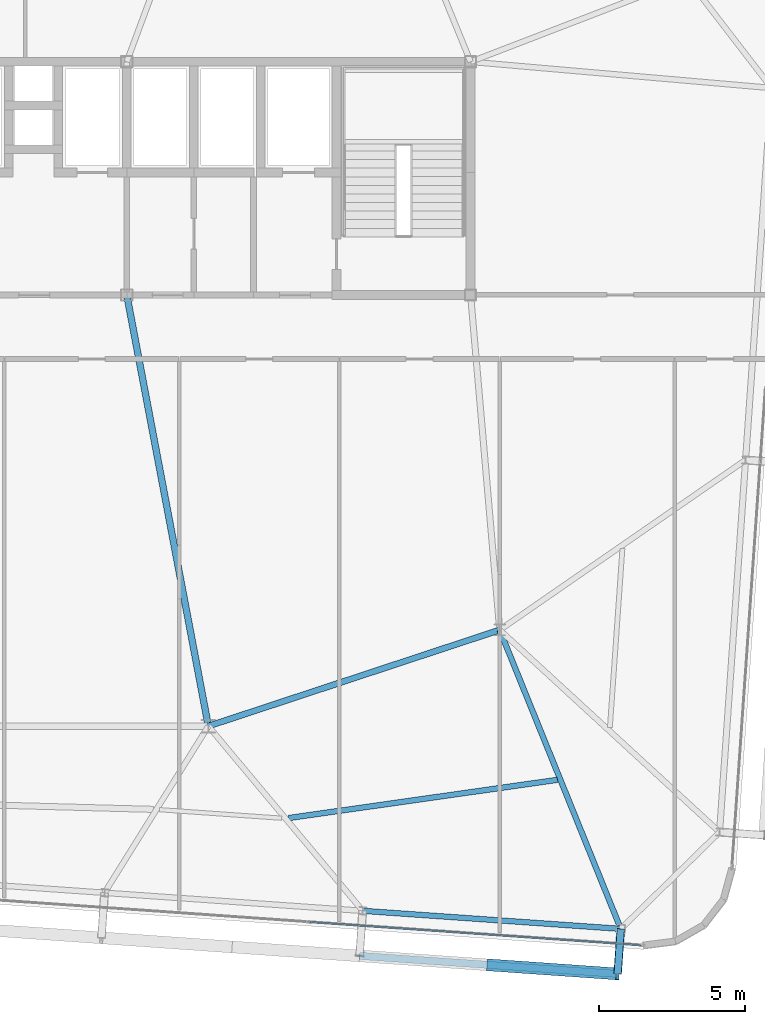
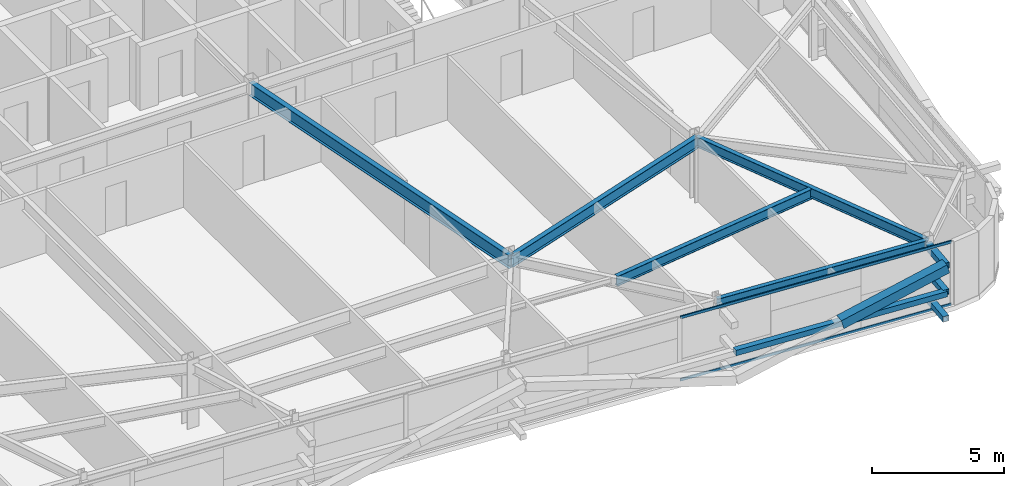
# One storey, part 14 of 39: 7 members, 5 beams, 1 element without a shape of its own.
"""IFC4 building model written with IfcOpenShell, lengths in metres."""

from ifc_helpers import new_model, si_unit, direction, frame, origin, origin_2d, place, context, subcontext, project, spatial, hollow_rectangle, i_section, extrude, source, transform, mapped, material, layer, layer_set, material_profile, profile_set, type_object, element, aggregate, save


model = new_model("IFC4")

# Units and contexts
model_context = context("Model", 3, precision=1e-05, world=origin(), true_north=direction((0.0, 1.0)))
body_context = subcontext(model_context, "Body", "Model", "MODEL_VIEW")
ifc_project = project(units=[si_unit("LENGTHUNIT", "METRE"), si_unit("AREAUNIT", "SQUARE_METRE"), si_unit("VOLUMEUNIT", "CUBIC_METRE"), si_unit("PLANEANGLEUNIT", "RADIAN"), si_unit("MASSUNIT", "GRAM", prefix="KILO")], contexts=[model_context])

# Site, building, storey
site_placement = place(None, origin())
site = spatial("IfcSite", under=ifc_project, at=site_placement, CompositionType="ELEMENT")
building_placement = place(site_placement, origin())
building = spatial("IfcBuilding", under=site, at=building_placement, Name="Taldren Reach Tower", CompositionType="ELEMENT")
storey_placement = place(building_placement, frame((0.0, 0.0, 120.39990234375)))
storey = spatial("IfcBuildingStorey", under=building, at=storey_placement, Name="L36", CompositionType="ELEMENT", Elevation=120.39990234375)

# Beams
ifc_material_1 = material(Name="Steel Gr 350 (350PLUS)", Category="steel")
ifc_material_profile_1 = material_profile(ifc_material_1, i_section(OverallWidth=0.208984375, OverallDepth=0.532958984375, WebThickness=0.01025390625, FlangeThickness=0.015625, at=origin_2d()), Name="530UB92.4")
ifc_profile_set_1 = profile_set([ifc_material_profile_1], Name="Steel Gr 350 (350PLUS)")
beam_type_1 = type_object("IfcBeamType", Name="BM-UB530A", PredefinedType="BEAM", material=ifc_profile_set_1)
shared_shape_1 = source(origin(), body_context, "Body", "SweptSolid", [
    extrude(i_section(OverallWidth=0.208984375, OverallDepth=0.532958984375, WebThickness=0.01025390625, FlangeThickness=0.015625, at=origin_2d()), origin(), (0.0, 0.0, 1.0), 10.530517578125),
])
beam_1_placement = place(storey_placement, frame((42.0, 9.199951171875, 2.66357421875), z_axis=(0.949627269203, 0.313381635689, 0.0), x_axis=(-0.313381635689, 0.949627269203, 0.0)))
element("IfcBeam", 1, at=beam_1_placement, inside=storey, type_object=beam_type_1, Name="Core-spine girder L36-SP12", PredefinedType="BEAM", context=body_context, shape_type="MappedRepresentation", body=[
    mapped(shared_shape_1, transform((0.0, 0.0, 0.0), scale=1.0)),
])
ifc_material_profile_2 = material_profile(ifc_material_1, i_section(OverallWidth=0.22802734375, OverallDepth=0.60205078125, WebThickness=0.010498046875, FlangeThickness=0.014892578125, at=origin_2d()), Name="610UB101")
ifc_profile_set_2 = profile_set([ifc_material_profile_2], Name="Steel Gr 350 (350PLUS)")
beam_type_2 = type_object("IfcBeamType", Name="BM-UB610B", PredefinedType="BEAM", material=ifc_profile_set_2)
shared_shape_2 = source(origin(), body_context, "Body", "SweptSolid", [
    extrude(i_section(OverallWidth=0.22802734375, OverallDepth=0.60205078125, WebThickness=0.010498046875, FlangeThickness=0.014892578125, at=origin_2d()), origin(), (0.0, 0.0, 1.0), 15.0625),
])
beam_2_placement = place(storey_placement, frame((39.199951171875, 24.0, 2.629150390625), z_axis=(0.185894205668, -0.982569765614, 0.0), x_axis=(0.982569765614, 0.185894205668, 0.0)))
element("IfcBeam", 2, at=beam_2_placement, inside=storey, type_object=beam_type_2, Name="Core-spine girder L36-SP15", PredefinedType="BEAM", context=body_context, shape_type="MappedRepresentation", body=[
    mapped(shared_shape_2, transform((0.0, 0.0, 0.0), scale=1.0)),
])

# Members
ifc_material_2 = material(Name="Steel Gr 450 (C450L0)", Category="steel")
ifc_material_profile_3 = material_profile(ifc_material_2, hollow_rectangle(XDim=0.27490234375, YDim=0.27490234375, WallThickness=0.00927734375, at=origin_2d()), Name="275x275x9.3SHS")
ifc_profile_set_3 = profile_set([ifc_material_profile_3], Name="Steel Gr 450 (C450L0)")
member_type_1 = type_object("IfcMemberType", Name="MB-TIE273", PredefinedType="STRUT", material=ifc_profile_set_3)
shared_shape_3 = source(origin(), body_context, "Body", "SweptSolid", [
    extrude(hollow_rectangle(XDim=0.27490234375, YDim=0.27490234375, WallThickness=0.00927734375, at=origin_2d()), origin(), (0.0, 0.0, 1.0), 1.5498046875),
])
member_1_placement = place(storey_placement, frame((56.155517578125, 2.2412109375, 2.650146484375), z_axis=(-0.069780535098, -0.997562367434, 0.0), x_axis=(0.997562367434, -0.069780535098, 0.0)))
element("IfcMember", 3, at=member_1_placement, inside=storey, type_object=member_type_1, Name="Exoskeleton diaphragm tie strut B3-S6 L36", PredefinedType="STRUT", context=body_context, shape_type="MappedRepresentation", body=[
    mapped(shared_shape_3, transform((0.0, 0.0, 0.0), scale=1.0)),
])
ifc_material_3 = material(Name="Steel Gr 350 (C350L0)", Category="steel")
ifc_material_profile_4 = material_profile(ifc_material_3, hollow_rectangle(XDim=0.25, YDim=0.25, WallThickness=0.010009765625, at=origin_2d()), Name="250x250x10.0SHS")
ifc_profile_set_4 = profile_set([ifc_material_profile_4], Name="Steel Gr 350 (C350L0)")
member_type_2 = type_object("IfcMemberType", Name="MB-POST250", PredefinedType="POST", material=ifc_profile_set_4)
shared_shape_4 = source(origin(), body_context, "Body", "SweptSolid", [
    extrude(hollow_rectangle(XDim=0.25, YDim=0.25, WallThickness=0.010009765625, at=origin_2d()), origin(), (0.0, 0.0, 1.0), 1.5498046875),
])
for number, where, z_axis, x_axis, name in (
    (4, (56.155517578125, 2.2412109375, 0.22021484375), (-0.069780535098, -0.997562367434, 0.0), (0.997562367434, -0.069780535098, 0.0), "Exoskeleton base diaphragm tie strut B3-S6 L36"),
    (5, (56.155517578125, 2.2412109375, 1.43505859375), (-0.069780535098, -0.997562367434, 0.0), (0.997562367434, -0.069780535098, 0.0), "Exoskeleton mid-tier diaphragm tie B3-S6 L36"),
):
    element("IfcMember", number, at=place(storey_placement, frame(where, z_axis=z_axis, x_axis=x_axis)), inside=storey, type_object=member_type_2, Name=name, PredefinedType="POST", context=body_context, shape_type="MappedRepresentation", body=[
        mapped(shared_shape_4, transform((0.0, 0.0, 0.0), scale=1.0)),
    ])

# Beams
ifc_material_profile_5 = material_profile(ifc_material_1, i_section(OverallWidth=0.18994140625, OverallDepth=0.4541015625, WebThickness=0.008544921875, FlangeThickness=0.0126953125, at=origin_2d()), Name="460UB67.1")
ifc_profile_set_5 = profile_set([ifc_material_profile_5], Name="Steel Gr 350 (350PLUS)")
beam_type_3 = type_object("IfcBeamType", Name="SP-UB460B", PredefinedType="SPANDREL", material=ifc_profile_set_5)
shared_shape_5 = source(origin(), body_context, "Body", "SweptSolid", [
    extrude(i_section(OverallWidth=0.18994140625, OverallDepth=0.4541015625, WebThickness=0.008544921875, FlangeThickness=0.0126953125, at=origin_2d()), origin(), (0.0, 0.0, 1.0), 8.880126953125),
])
beam_3_placement = place(storey_placement, frame((47.297119140625, 2.860595703125, 2.703125), z_axis=(0.997564479639, -0.069750333063, 0.0), x_axis=(0.069750333063, 0.997564479639, 0.0)))
element("IfcBeam", 6, at=beam_3_placement, inside=storey, type_object=beam_type_3, Name="Perimeter spandrel B3 S5-S6 L36", PredefinedType="SPANDREL", context=body_context, shape_type="MappedRepresentation", body=[
    mapped(shared_shape_5, transform((0.0, 0.0, 0.0), scale=1.0)),
])
ifc_material_profile_6 = material_profile(ifc_material_1, i_section(OverallWidth=0.19091796875, OverallDepth=0.4599609375, WebThickness=0.010009765625, FlangeThickness=0.01611328125, at=origin_2d()), Name="460UB82.1")
ifc_profile_set_6 = profile_set([ifc_material_profile_6], Name="Steel Gr 350 (350PLUS)")
beam_type_4 = type_object("IfcBeamType", Name="BM-UB460A", PredefinedType="BEAM", material=ifc_profile_set_6)
shared_shape_6 = source(origin(), body_context, "Body", "SweptSolid", [
    extrude(i_section(OverallWidth=0.19091796875, OverallDepth=0.4599609375, WebThickness=0.010009765625, FlangeThickness=0.01611328125, at=origin_2d()), origin(), (0.0, 0.0, 1.0), 11.068359375),
])
beam_4_placement = place(storey_placement, frame((52.0, 12.5, 2.7001953125), z_axis=(0.375437319636, -0.92684778633, 0.0), x_axis=(0.92684778633, 0.375437319636, 0.0)))
element("IfcBeam", 7, at=beam_4_placement, inside=storey, type_object=beam_type_4, Name="Primary floor girder B3-S6 L36", PredefinedType="BEAM", context=body_context, shape_type="MappedRepresentation", body=[
    mapped(shared_shape_6, transform((0.0, 0.0, 0.0), scale=1.0)),
])
shared_shape_7 = source(origin(), body_context, "Body", "SweptSolid", [
    extrude(i_section(OverallWidth=0.19091796875, OverallDepth=0.4599609375, WebThickness=0.010009765625, FlangeThickness=0.01611328125, at=origin_2d()), origin(), (0.0, 0.0, 1.0), 9.313232421875),
])
beam_5_placement = place(storey_placement, frame((44.759765625, 6.046142578125, 2.7001953125), z_axis=(0.990049385514, 0.140720340547, 0.0), x_axis=(-0.140720340547, 0.990049385514, 0.0)))
element("IfcBeam", 8, at=beam_5_placement, inside=storey, type_object=beam_type_4, Name="Secondary floor beam B3 J5 L36", PredefinedType="BEAM", context=body_context, shape_type="MappedRepresentation", body=[
    mapped(shared_shape_7, transform((0.0, 0.0, 0.0), scale=1.0)),
])

# Members
shared_shape_8 = source(origin(), body_context, "Body", "SweptSolid", [
    extrude(hollow_rectangle(XDim=0.25, YDim=0.25, WallThickness=0.010009765625, at=origin_2d()), origin(), (0.0, 0.0, 1.0), 8.880126953125),
])
member_2_placement = place(storey_placement, frame((47.18896484375, 1.314453125, 1.43505859375), z_axis=(0.997564479639, -0.069750333063, 0.0), x_axis=(0.069750333063, 0.997564479639, 0.0)))
element("IfcMember", 9, at=member_2_placement, inside=storey, type_object=member_type_2, Name="Exoskeleton mid-height ring chord B3-S5 L36", PredefinedType="POST", context=body_context, shape_type="MappedRepresentation", body=[
    mapped(shared_shape_8, transform((0.0, 0.0, 0.0), scale=1.0)),
])
ifc_material_profile_7 = material_profile(ifc_material_2, hollow_rectangle(XDim=0.409912109375, YDim=0.409912109375, WallThickness=0.01611328125, at=origin_2d()), Name="410x410x16.0SHS")
ifc_profile_set_7 = profile_set([ifc_material_profile_7], Name="Steel Gr 450 (C450L0)")
member_type_3 = type_object("IfcMemberType", Name="MB-EXO406", PredefinedType="BRACE", material=ifc_profile_set_7)
shared_shape_9 = source(origin(), body_context, "Body", "SweptSolid", [
    extrude(hollow_rectangle(XDim=0.409912109375, YDim=0.409912109375, WallThickness=0.01611328125, at=origin_2d()), origin(), (0.0, 0.0, 1.0), 4.603271484375),
])
member_3_placement = place(storey_placement, frame((51.6181640625, 1.004638671875, 1.43505859375), z_axis=(0.962185784239, -0.067250114343, 0.263962002434), x_axis=(0.069722973508, 0.997566392259, 0.0)))
element("IfcMember", 10, at=member_3_placement, inside=storey, type_object=member_type_3, Name="Exoskeleton Diagrid Brace B3-S5 L36", PredefinedType="BRACE", context=body_context, shape_type="MappedRepresentation", body=[
    mapped(shared_shape_9, transform((0.0, 0.0, 0.0), scale=1.0)),
])

# Curtain wall, members
ifc_material_4 = material(Name="Aluminium and Low-E Glass Unitised System", Category="aluminium")
ifc_layer = layer(ifc_material_4, 0.159912109375)
ifc_layer_set = layer_set([ifc_layer], Name="Aluminium and Low-E Glass Unitised System")
curtain_wall_type = type_object("IfcCurtainWallType", Name="CW-SYS-4", PredefinedType="NOTDEFINED", material=ifc_layer_set)
curtain_wall_placement = place(storey_placement, origin())
curtain_wall = element("IfcCurtainWall", 11, at=curtain_wall_placement, inside=storey, type_object=curtain_wall_type, Name="Unitised curtain wall CW-L36-S", PredefinedType="NOTDEFINED")
ifc_material_5 = material(Name="Anodised Aluminium 6063-T6", Category="aluminium")
ifc_material_profile_8 = material_profile(ifc_material_5, hollow_rectangle(XDim=0.054931640625, YDim=0.1201171875, WallThickness=0.0029296875, at=origin_2d()), Name="ALU-120x55x3RHS")
ifc_profile_set_8 = profile_set([ifc_material_profile_8], Name="Anodised Aluminium 6063-T6")
member_type_4 = type_object("IfcMemberType", Name="CW-TRN-135", PredefinedType="USERDEFINED", material=ifc_profile_set_8)
shared_shape_10 = source(origin(), body_context, "Body", "SweptSolid", [
    extrude(hollow_rectangle(XDim=0.054931640625, YDim=0.1201171875, WallThickness=0.0029296875, at=origin_2d()), origin(), (0.0, 0.0, 1.0), 11.395263671875),
])
member_4_placement = place(storey_placement, frame((45.480712890625, 2.476318359375, 0.027587890625), z_axis=(0.997565335668, -0.069738089122, 0.0), x_axis=(0.069738089122, 0.997565335668, 0.0)))
member_4 = element("IfcMember", 12, at=member_4_placement, type_object=member_type_4, Name="CW-4 transom 4.1", ObjectType="TRANSOM", PredefinedType="USERDEFINED", context=body_context, shape_type="MappedRepresentation", body=[
    mapped(shared_shape_10, transform((0.0, 0.0, 0.0), scale=1.0)),
])
member_5_placement = place(storey_placement, frame((45.480712890625, 2.476318359375, 2.902587890625), z_axis=(0.997565335668, -0.069738089122, 0.0), x_axis=(0.069738089122, 0.997565335668, 0.0)))
member_5 = element("IfcMember", 13, at=member_5_placement, type_object=member_type_4, Name="CW-4 transom 4.2", ObjectType="TRANSOM", PredefinedType="USERDEFINED", context=body_context, shape_type="MappedRepresentation", body=[
    mapped(shared_shape_10, transform((0.0, 0.0, 0.0), scale=1.0)),
])
aggregate(curtain_wall, [member_4, member_5])

save(model, "model.ifc")
